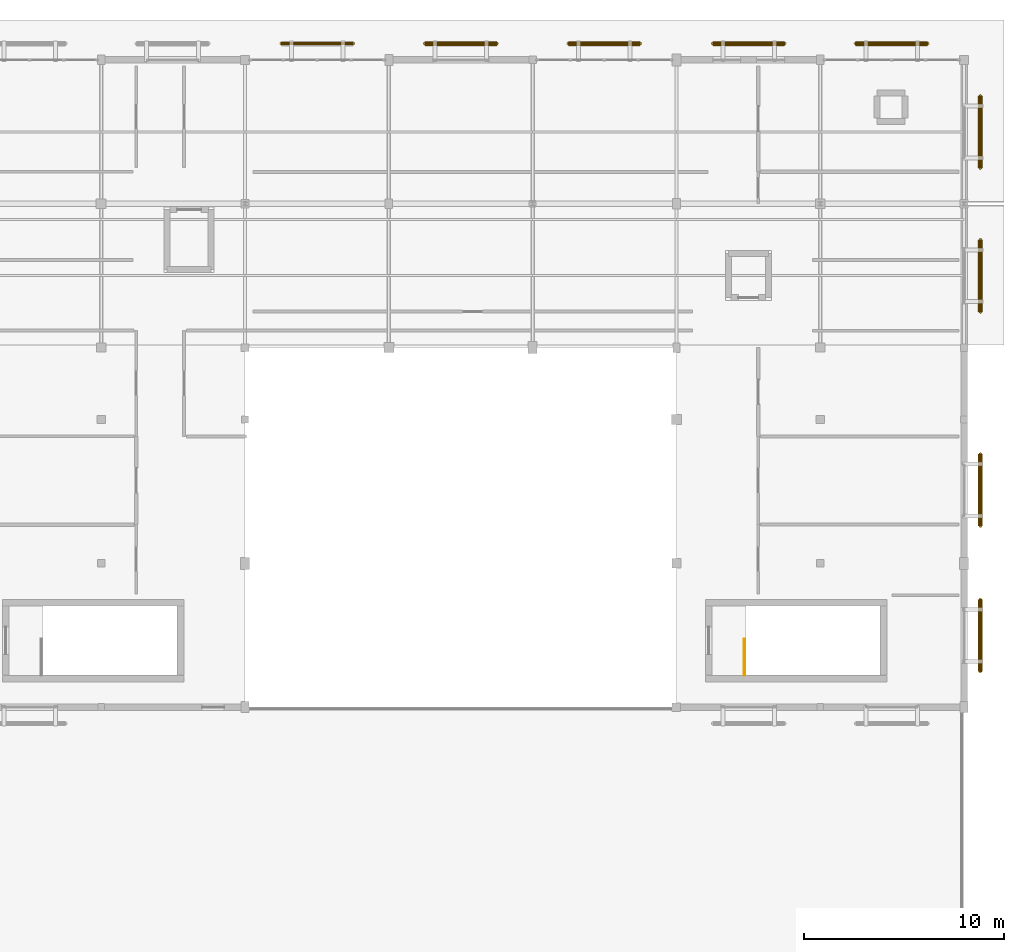
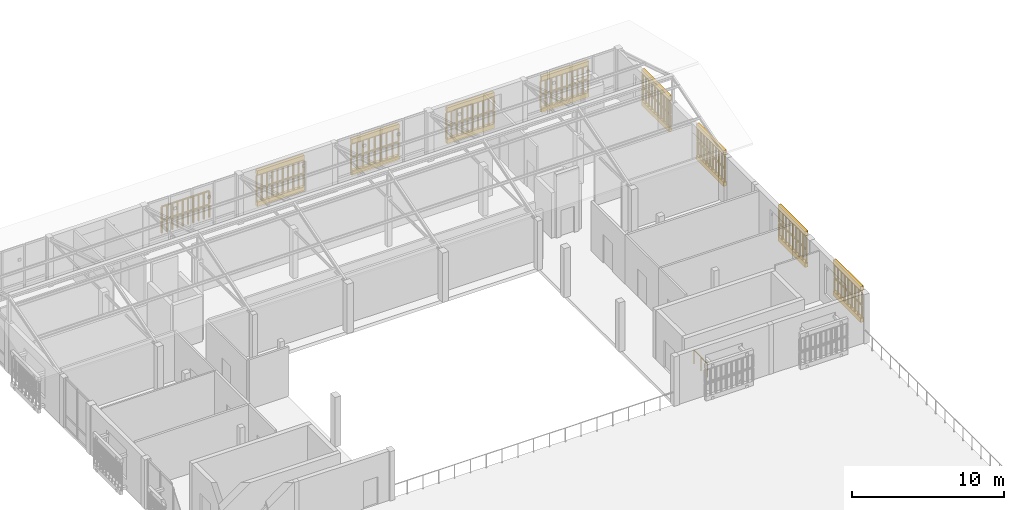
# One storey, part 61 of 61: 19 railings, 16 coverings.
"""IFC4 building model written with IfcOpenShell, lengths in metres."""

from ifc_helpers import new_model, si_unit, direction, frame, origin, origin_2d, place, context, subcontext, project, spatial, polyline, circle, outline, extrude, material, layer, layer_set, type_object, element, save


model = new_model("IFC4")

# Units and contexts
model_context = context("Model", 3, precision=1e-05, world=origin(), true_north=direction((0.0, 1.0)))
body_context = subcontext(model_context, "Body", "Model", "MODEL_VIEW")
ifc_project = project(units=[si_unit("LENGTHUNIT", "METRE"), si_unit("AREAUNIT", "SQUARE_METRE"), si_unit("VOLUMEUNIT", "CUBIC_METRE"), si_unit("PLANEANGLEUNIT", "RADIAN"), si_unit("MASSUNIT", "GRAM", prefix="KILO")], contexts=[model_context])

# Site, building, storey
site_placement = place(None, origin())
site = spatial("IfcSite", under=ifc_project, at=site_placement, CompositionType="ELEMENT")
building_placement = place(site_placement, origin())
building = spatial("IfcBuilding", under=site, at=building_placement, Name="Mazaris Harbour Polytechnic", CompositionType="ELEMENT")
storey_placement = place(building_placement, frame((0.0, 0.0, 18.0)))
storey = spatial("IfcBuildingStorey", under=building, at=storey_placement, Name="L04", CompositionType="ELEMENT", Elevation=18.0)

# Railings
ifc_material_1 = material(Name="Perforated Earth-Coloured Terracotta Block", Category="masonry")
railing_type_1 = type_object("IfcRailingType", Name="Perforated Earth-Block Claustra Lattice 1040", PredefinedType="BALUSTRADE", material=ifc_material_1)
for number, where, name in (
    (1, (138.614990234375, 101.6201171875, 0.52001953125), "V5 L04 Lower Perforated Terracotta Block Screen 490"),
    (2, (138.614990234375, 101.6201171875, 1.610107421875), "V5 L04 Upper Perforated Terracotta Block Screen 490"),
    (3, (145.804931640625, 101.6201171875, 0.52001953125), "V5 L04 Lower Perforated Terracotta Block Screen 491"),
    (4, (145.804931640625, 101.6201171875, 1.610107421875), "V5 L04 Upper Perforated Terracotta Block Screen 491"),
):
    element("IfcRailing", number, at=place(storey_placement, frame(where)), inside=storey, type_object=railing_type_1, Name=name, PredefinedType="BALUSTRADE", context=body_context, shape_type="SweptSolid", body=[
        extrude(circle(Radius=0.06982421875, at=origin_2d()), frame((0.0, 0.0, 1.02001953125), z_axis=(1.0, 0.0, 0.0), x_axis=(0.0, 1.0, 0.0)), (0.0, 0.0, 1.0), 3.60009765625),
        extrude(circle(Radius=0.074951171875, at=origin_2d()), origin(), (0.0, 0.0, 1.0), 0.9501953125),
        extrude(circle(Radius=0.074951171875, at=origin_2d()), frame((0.39990234375, 0.0, 0.0)), (0.0, 0.0, 1.0), 0.9501953125),
        extrude(circle(Radius=0.074951171875, at=origin_2d()), frame((0.800048828125, 0.0, 0.0)), (0.0, 0.0, 1.0), 0.9501953125),
        extrude(circle(Radius=0.074951171875, at=origin_2d()), frame((1.199951171875, 0.0, 0.0)), (0.0, 0.0, 1.0), 0.9501953125),
        extrude(circle(Radius=0.074951171875, at=origin_2d()), frame((1.60009765625, 0.0, 0.0)), (0.0, 0.0, 1.0), 0.9501953125),
        extrude(circle(Radius=0.074951171875, at=origin_2d()), frame((2.0, 0.0, 0.0)), (0.0, 0.0, 1.0), 0.9501953125),
        extrude(circle(Radius=0.074951171875, at=origin_2d()), frame((2.400146484375, 0.0, 0.0)), (0.0, 0.0, 1.0), 0.9501953125),
        extrude(circle(Radius=0.074951171875, at=origin_2d()), frame((2.800048828125, 0.0, 0.0)), (0.0, 0.0, 1.0), 0.9501953125),
        extrude(circle(Radius=0.074951171875, at=origin_2d()), frame((3.2001953125, 0.0, 0.0)), (0.0, 0.0, 1.0), 0.9501953125),
        extrude(circle(Radius=0.074951171875, at=origin_2d()), frame((3.60009765625, 0.0, 0.0)), (0.0, 0.0, 1.0), 0.9501953125),
    ])
for number, where, name in (
    (5, (152.985107421875, 101.6201171875, 0.52001953125), "V5 L04 Lower Perforated Terracotta Block Screen 492"),
    (6, (152.985107421875, 101.6201171875, 1.610107421875), "V5 L04 Upper Perforated Terracotta Block Screen 492"),
):
    element("IfcRailing", number, at=place(storey_placement, frame(where)), inside=storey, type_object=railing_type_1, Name=name, PredefinedType="BALUSTRADE", context=body_context, shape_type="SweptSolid", body=[
        extrude(circle(Radius=0.06982421875, at=origin_2d()), frame((0.0, 0.0, 1.02001953125), z_axis=(1.0, 0.0, 0.0), x_axis=(0.0, 1.0, 0.0)), (0.0, 0.0, 1.0), 3.599853515625),
        extrude(circle(Radius=0.074951171875, at=origin_2d()), origin(), (0.0, 0.0, 1.0), 0.9501953125),
        extrude(circle(Radius=0.074951171875, at=origin_2d()), frame((0.449951171875, 0.0, 0.0)), (0.0, 0.0, 1.0), 0.9501953125),
        extrude(circle(Radius=0.074951171875, at=origin_2d()), frame((0.89990234375, 0.0, 0.0)), (0.0, 0.0, 1.0), 0.9501953125),
        extrude(circle(Radius=0.074951171875, at=origin_2d()), frame((1.349853515625, 0.0, 0.0)), (0.0, 0.0, 1.0), 0.9501953125),
        extrude(circle(Radius=0.074951171875, at=origin_2d()), frame((1.7998046875, 0.0, 0.0)), (0.0, 0.0, 1.0), 0.9501953125),
        extrude(circle(Radius=0.074951171875, at=origin_2d()), frame((2.25, 0.0, 0.0)), (0.0, 0.0, 1.0), 0.9501953125),
        extrude(circle(Radius=0.074951171875, at=origin_2d()), frame((2.699951171875, 0.0, 0.0)), (0.0, 0.0, 1.0), 0.9501953125),
        extrude(circle(Radius=0.074951171875, at=origin_2d()), frame((3.14990234375, 0.0, 0.0)), (0.0, 0.0, 1.0), 0.9501953125),
        extrude(circle(Radius=0.074951171875, at=origin_2d()), frame((3.599853515625, 0.0, 0.0)), (0.0, 0.0, 1.0), 0.9501953125),
    ])
for number, where, name in (
    (7, (160.219970703125, 101.6201171875, 0.52001953125), "V5 L04 Lower Perforated Terracotta Block Screen 493"),
    (8, (160.219970703125, 101.6201171875, 1.610107421875), "V5 L04 Upper Perforated Terracotta Block Screen 493"),
    (9, (167.375, 101.6201171875, 0.52001953125), "V5 L04 Lower Perforated Terracotta Block Screen 494"),
    (10, (167.375, 101.6201171875, 1.610107421875), "V5 L04 Upper Perforated Terracotta Block Screen 494"),
):
    element("IfcRailing", number, at=place(storey_placement, frame(where)), inside=storey, type_object=railing_type_1, Name=name, PredefinedType="BALUSTRADE", context=body_context, shape_type="SweptSolid", body=[
        extrude(circle(Radius=0.06982421875, at=origin_2d()), frame((0.0, 0.0, 1.02001953125), z_axis=(1.0, 0.0, 0.0), x_axis=(0.0, 1.0, 0.0)), (0.0, 0.0, 1.0), 3.60009765625),
        extrude(circle(Radius=0.074951171875, at=origin_2d()), origin(), (0.0, 0.0, 1.0), 0.9501953125),
        extrude(circle(Radius=0.074951171875, at=origin_2d()), frame((0.39990234375, 0.0, 0.0)), (0.0, 0.0, 1.0), 0.9501953125),
        extrude(circle(Radius=0.074951171875, at=origin_2d()), frame((0.800048828125, 0.0, 0.0)), (0.0, 0.0, 1.0), 0.9501953125),
        extrude(circle(Radius=0.074951171875, at=origin_2d()), frame((1.199951171875, 0.0, 0.0)), (0.0, 0.0, 1.0), 0.9501953125),
        extrude(circle(Radius=0.074951171875, at=origin_2d()), frame((1.60009765625, 0.0, 0.0)), (0.0, 0.0, 1.0), 0.9501953125),
        extrude(circle(Radius=0.074951171875, at=origin_2d()), frame((2.0, 0.0, 0.0)), (0.0, 0.0, 1.0), 0.9501953125),
        extrude(circle(Radius=0.074951171875, at=origin_2d()), frame((2.400146484375, 0.0, 0.0)), (0.0, 0.0, 1.0), 0.9501953125),
        extrude(circle(Radius=0.074951171875, at=origin_2d()), frame((2.800048828125, 0.0, 0.0)), (0.0, 0.0, 1.0), 0.9501953125),
        extrude(circle(Radius=0.074951171875, at=origin_2d()), frame((3.2001953125, 0.0, 0.0)), (0.0, 0.0, 1.0), 0.9501953125),
        extrude(circle(Radius=0.074951171875, at=origin_2d()), frame((3.60009765625, 0.0, 0.0)), (0.0, 0.0, 1.0), 0.9501953125),
    ])
for number, where, name in (
    (11, (173.6201171875, 73.784912109375, 0.52001953125), "V5 L04 Lower Perforated Terracotta Block Screen 499"),
    (12, (173.6201171875, 73.784912109375, 1.610107421875), "V5 L04 Upper Perforated Terracotta Block Screen 499"),
    (13, (173.6201171875, 81.06494140625, 0.52001953125), "V5 L04 Lower Perforated Terracotta Block Screen 500"),
    (14, (173.6201171875, 81.06494140625, 1.610107421875), "V5 L04 Upper Perforated Terracotta Block Screen 500"),
):
    element("IfcRailing", number, at=place(storey_placement, frame(where)), inside=storey, type_object=railing_type_1, Name=name, PredefinedType="BALUSTRADE", context=body_context, shape_type="SweptSolid", body=[
        extrude(circle(Radius=0.06982421875, at=origin_2d()), frame((0.0, 0.0, 1.02001953125), z_axis=(0.0, -1.0, 0.0), x_axis=(1.0, 0.0, 0.0)), (0.0, 0.0, 1.0), 3.599853515625),
        extrude(circle(Radius=0.074951171875, at=origin_2d()), origin(), (0.0, 0.0, 1.0), 0.9501953125),
        extrude(circle(Radius=0.074951171875, at=origin_2d()), frame((0.0, -0.449951171875, 0.0)), (0.0, 0.0, 1.0), 0.9501953125),
        extrude(circle(Radius=0.074951171875, at=origin_2d()), frame((0.0, -0.89990234375, 0.0)), (0.0, 0.0, 1.0), 0.9501953125),
        extrude(circle(Radius=0.074951171875, at=origin_2d()), frame((0.0, -1.349853515625, 0.0)), (0.0, 0.0, 1.0), 0.9501953125),
        extrude(circle(Radius=0.074951171875, at=origin_2d()), frame((0.0, -1.7998046875, 0.0)), (0.0, 0.0, 1.0), 0.9501953125),
        extrude(circle(Radius=0.074951171875, at=origin_2d()), frame((0.0, -2.25, 0.0)), (0.0, 0.0, 1.0), 0.9501953125),
        extrude(circle(Radius=0.074951171875, at=origin_2d()), frame((0.0, -2.699951171875, 0.0)), (0.0, 0.0, 1.0), 0.9501953125),
        extrude(circle(Radius=0.074951171875, at=origin_2d()), frame((0.0, -3.14990234375, 0.0)), (0.0, 0.0, 1.0), 0.9501953125),
        extrude(circle(Radius=0.074951171875, at=origin_2d()), frame((0.0, -3.599853515625, 0.0)), (0.0, 0.0, 1.0), 0.9501953125),
    ])
for number, where, name in (
    (15, (173.6201171875, 91.7900390625, 0.52001953125), "V5 L04 Lower Perforated Terracotta Block Screen 501"),
    (16, (173.6201171875, 91.7900390625, 1.610107421875), "V5 L04 Upper Perforated Terracotta Block Screen 501"),
    (17, (173.6201171875, 98.989990234375, 0.52001953125), "V5 L04 Lower Perforated Terracotta Block Screen 502"),
    (18, (173.6201171875, 98.989990234375, 1.610107421875), "V5 L04 Upper Perforated Terracotta Block Screen 502"),
):
    element("IfcRailing", number, at=place(storey_placement, frame(where)), inside=storey, type_object=railing_type_1, Name=name, PredefinedType="BALUSTRADE", context=body_context, shape_type="SweptSolid", body=[
        extrude(circle(Radius=0.06982421875, at=origin_2d()), frame((0.0, 0.0, 1.02001953125), z_axis=(0.0, -1.0, 0.0), x_axis=(1.0, 0.0, 0.0)), (0.0, 0.0, 1.0), 3.60009765625),
        extrude(circle(Radius=0.074951171875, at=origin_2d()), origin(), (0.0, 0.0, 1.0), 0.9501953125),
        extrude(circle(Radius=0.074951171875, at=origin_2d()), frame((0.0, -0.39990234375, 0.0)), (0.0, 0.0, 1.0), 0.9501953125),
        extrude(circle(Radius=0.074951171875, at=origin_2d()), frame((0.0, -0.800048828125, 0.0)), (0.0, 0.0, 1.0), 0.9501953125),
        extrude(circle(Radius=0.074951171875, at=origin_2d()), frame((0.0, -1.199951171875, 0.0)), (0.0, 0.0, 1.0), 0.9501953125),
        extrude(circle(Radius=0.074951171875, at=origin_2d()), frame((0.0, -1.60009765625, 0.0)), (0.0, 0.0, 1.0), 0.9501953125),
        extrude(circle(Radius=0.074951171875, at=origin_2d()), frame((0.0, -2.0, 0.0)), (0.0, 0.0, 1.0), 0.9501953125),
        extrude(circle(Radius=0.074951171875, at=origin_2d()), frame((0.0, -2.400146484375, 0.0)), (0.0, 0.0, 1.0), 0.9501953125),
        extrude(circle(Radius=0.074951171875, at=origin_2d()), frame((0.0, -2.800048828125, 0.0)), (0.0, 0.0, 1.0), 0.9501953125),
        extrude(circle(Radius=0.074951171875, at=origin_2d()), frame((0.0, -3.2001953125, 0.0)), (0.0, 0.0, 1.0), 0.9501953125),
        extrude(circle(Radius=0.074951171875, at=origin_2d()), frame((0.0, -3.60009765625, 0.0)), (0.0, 0.0, 1.0), 0.9501953125),
    ])
ifc_material_2 = material(Name="Steel S355", Category="steel")
railing_type_2 = type_object("IfcRailingType", Name="Stair Well Guardrail 1100", PredefinedType="GUARDRAIL", material=ifc_material_2)
railing_placement = place(storey_placement, frame((161.800048828125, 70.0, 0.0)))
element("IfcRailing", 19, at=railing_placement, inside=storey, type_object=railing_type_2, Name="L04 ST10 top well guard 1", PredefinedType="GUARDRAIL", context=body_context, shape_type="SweptSolid", body=[
    extrude(circle(Radius=0.02392578125, at=origin_2d()), frame((0.0, 0.0, 1.076171875), z_axis=(0.0, 1.0, 0.0), x_axis=(-1.0, 0.0, 0.0)), (0.0, 0.0, 1.0), 1.800048828125),
    extrude(circle(Radius=0.02099609375, at=origin_2d()), origin(), (0.0, 0.0, 1.0), 1.052001953125),
    extrude(circle(Radius=0.02099609375, at=origin_2d()), frame((0.0, 0.89990234375, 0.0)), (0.0, 0.0, 1.0), 1.052001953125),
    extrude(circle(Radius=0.02099609375, at=origin_2d()), frame((0.0, 1.800048828125, 0.0)), (0.0, 0.0, 1.0), 1.052001953125),
])

# Coverings
ifc_material_3 = material(Name="Perforated Earth-Coloured Terracotta Block", Category="masonry")
ifc_layer = layer(ifc_material_3, 0.219970703125, Name="Perforated Earth-Coloured Terracotta Block")
ifc_layer_set = layer_set([ifc_layer], Name="Perforated Earth-Coloured Terracotta Block")
covering_type = type_object("IfcCoveringType", Name="Terracotta Screen Course Cladding 220", PredefinedType="CLADDING", material=ifc_layer_set)
covering_1_placement = place(storey_placement, frame((0.0, 0.0, 0.159912109375)))
element("IfcCovering", 20, at=covering_1_placement, inside=storey, type_object=covering_type, Name="V5 L04 Perforated Screen Sill Course 491", PredefinedType="CLADDING", context=body_context, shape_type="SweptSolid", body=[
    extrude(outline(polyline([(145.804931640625, 101.510009765625), (149.405029296875, 101.510009765625), (149.405029296875, 101.72998046875), (145.804931640625, 101.72998046875), (145.804931640625, 101.510009765625)])), origin(), (0.0, 0.0, 1.0), 0.360107421875),
])
covering_2_placement = place(storey_placement, frame((0.0, 0.0, 2.699951171875)))
element("IfcCovering", 21, at=covering_2_placement, inside=storey, type_object=covering_type, Name="V5 L04 Perforated Screen Lintel Course 491", PredefinedType="CLADDING", context=body_context, shape_type="SweptSolid", body=[
    extrude(outline(polyline([(145.804931640625, 101.510009765625), (149.405029296875, 101.510009765625), (149.405029296875, 101.72998046875), (145.804931640625, 101.72998046875), (145.804931640625, 101.510009765625)])), origin(), (0.0, 0.0, 1.0), 0.340087890625),
])
covering_3_placement = place(storey_placement, frame((0.0, 0.0, 0.159912109375)))
element("IfcCovering", 22, at=covering_3_placement, inside=storey, type_object=covering_type, Name="V5 L04 Perforated Screen Sill Course 492", PredefinedType="CLADDING", context=body_context, shape_type="SweptSolid", body=[
    extrude(outline(polyline([(152.985107421875, 101.510009765625), (156.5849609375, 101.510009765625), (156.5849609375, 101.72998046875), (152.985107421875, 101.72998046875), (152.985107421875, 101.510009765625)])), origin(), (0.0, 0.0, 1.0), 0.360107421875),
])
covering_4_placement = place(storey_placement, frame((0.0, 0.0, 2.699951171875)))
element("IfcCovering", 23, at=covering_4_placement, inside=storey, type_object=covering_type, Name="V5 L04 Perforated Screen Lintel Course 492", PredefinedType="CLADDING", context=body_context, shape_type="SweptSolid", body=[
    extrude(outline(polyline([(152.985107421875, 101.510009765625), (156.5849609375, 101.510009765625), (156.5849609375, 101.72998046875), (152.985107421875, 101.72998046875), (152.985107421875, 101.510009765625)])), origin(), (0.0, 0.0, 1.0), 0.340087890625),
])
covering_5_placement = place(storey_placement, frame((0.0, 0.0, 0.159912109375)))
element("IfcCovering", 24, at=covering_5_placement, inside=storey, type_object=covering_type, Name="V5 L04 Perforated Screen Sill Course 493", PredefinedType="CLADDING", context=body_context, shape_type="SweptSolid", body=[
    extrude(outline(polyline([(160.219970703125, 101.510009765625), (163.820068359375, 101.510009765625), (163.820068359375, 101.72998046875), (160.219970703125, 101.72998046875), (160.219970703125, 101.510009765625)])), origin(), (0.0, 0.0, 1.0), 0.360107421875),
])
covering_6_placement = place(storey_placement, frame((0.0, 0.0, 2.699951171875)))
element("IfcCovering", 25, at=covering_6_placement, inside=storey, type_object=covering_type, Name="V5 L04 Perforated Screen Lintel Course 493", PredefinedType="CLADDING", context=body_context, shape_type="SweptSolid", body=[
    extrude(outline(polyline([(160.219970703125, 101.510009765625), (163.820068359375, 101.510009765625), (163.820068359375, 101.72998046875), (160.219970703125, 101.72998046875), (160.219970703125, 101.510009765625)])), origin(), (0.0, 0.0, 1.0), 0.340087890625),
])
covering_7_placement = place(storey_placement, frame((0.0, 0.0, 0.159912109375)))
element("IfcCovering", 26, at=covering_7_placement, inside=storey, type_object=covering_type, Name="V5 L04 Perforated Screen Sill Course 494", PredefinedType="CLADDING", context=body_context, shape_type="SweptSolid", body=[
    extrude(outline(polyline([(167.375, 101.510009765625), (170.97509765625, 101.510009765625), (170.97509765625, 101.72998046875), (167.375, 101.72998046875), (167.375, 101.510009765625)])), origin(), (0.0, 0.0, 1.0), 0.360107421875),
])
covering_8_placement = place(storey_placement, frame((0.0, 0.0, 2.699951171875)))
element("IfcCovering", 27, at=covering_8_placement, inside=storey, type_object=covering_type, Name="V5 L04 Perforated Screen Lintel Course 494", PredefinedType="CLADDING", context=body_context, shape_type="SweptSolid", body=[
    extrude(outline(polyline([(167.375, 101.510009765625), (170.97509765625, 101.510009765625), (170.97509765625, 101.72998046875), (167.375, 101.72998046875), (167.375, 101.510009765625)])), origin(), (0.0, 0.0, 1.0), 0.340087890625),
])
covering_9_placement = place(storey_placement, frame((0.0, 0.0, 0.159912109375)))
element("IfcCovering", 28, at=covering_9_placement, inside=storey, type_object=covering_type, Name="V5 L04 Perforated Screen Sill Course 499", PredefinedType="CLADDING", context=body_context, shape_type="SweptSolid", body=[
    extrude(outline(polyline([(173.510009765625, 73.784912109375), (173.510009765625, 70.18505859375), (173.72998046875, 70.18505859375), (173.72998046875, 73.784912109375), (173.510009765625, 73.784912109375)])), origin(), (0.0, 0.0, 1.0), 0.360107421875),
])
covering_10_placement = place(storey_placement, frame((0.0, 0.0, 2.699951171875)))
element("IfcCovering", 29, at=covering_10_placement, inside=storey, type_object=covering_type, Name="V5 L04 Perforated Screen Lintel Course 499", PredefinedType="CLADDING", context=body_context, shape_type="SweptSolid", body=[
    extrude(outline(polyline([(173.510009765625, 73.784912109375), (173.510009765625, 70.18505859375), (173.72998046875, 70.18505859375), (173.72998046875, 73.784912109375), (173.510009765625, 73.784912109375)])), origin(), (0.0, 0.0, 1.0), 0.340087890625),
])
covering_11_placement = place(storey_placement, frame((0.0, 0.0, 0.159912109375)))
element("IfcCovering", 30, at=covering_11_placement, inside=storey, type_object=covering_type, Name="V5 L04 Perforated Screen Sill Course 500", PredefinedType="CLADDING", context=body_context, shape_type="SweptSolid", body=[
    extrude(outline(polyline([(173.510009765625, 81.06494140625), (173.510009765625, 77.465087890625), (173.72998046875, 77.465087890625), (173.72998046875, 81.06494140625), (173.510009765625, 81.06494140625)])), origin(), (0.0, 0.0, 1.0), 0.360107421875),
])
covering_12_placement = place(storey_placement, frame((0.0, 0.0, 2.699951171875)))
element("IfcCovering", 31, at=covering_12_placement, inside=storey, type_object=covering_type, Name="V5 L04 Perforated Screen Lintel Course 500", PredefinedType="CLADDING", context=body_context, shape_type="SweptSolid", body=[
    extrude(outline(polyline([(173.510009765625, 81.06494140625), (173.510009765625, 77.465087890625), (173.72998046875, 77.465087890625), (173.72998046875, 81.06494140625), (173.510009765625, 81.06494140625)])), origin(), (0.0, 0.0, 1.0), 0.340087890625),
])
covering_13_placement = place(storey_placement, frame((0.0, 0.0, 0.159912109375)))
element("IfcCovering", 32, at=covering_13_placement, inside=storey, type_object=covering_type, Name="V5 L04 Perforated Screen Sill Course 501", PredefinedType="CLADDING", context=body_context, shape_type="SweptSolid", body=[
    extrude(outline(polyline([(173.510009765625, 91.7900390625), (173.510009765625, 88.18994140625), (173.72998046875, 88.18994140625), (173.72998046875, 91.7900390625), (173.510009765625, 91.7900390625)])), origin(), (0.0, 0.0, 1.0), 0.360107421875),
])
covering_14_placement = place(storey_placement, frame((0.0, 0.0, 2.699951171875)))
element("IfcCovering", 33, at=covering_14_placement, inside=storey, type_object=covering_type, Name="V5 L04 Perforated Screen Lintel Course 501", PredefinedType="CLADDING", context=body_context, shape_type="SweptSolid", body=[
    extrude(outline(polyline([(173.510009765625, 91.7900390625), (173.510009765625, 88.18994140625), (173.72998046875, 88.18994140625), (173.72998046875, 91.7900390625), (173.510009765625, 91.7900390625)])), origin(), (0.0, 0.0, 1.0), 0.340087890625),
])
covering_15_placement = place(storey_placement, frame((0.0, 0.0, 0.159912109375)))
element("IfcCovering", 34, at=covering_15_placement, inside=storey, type_object=covering_type, Name="V5 L04 Perforated Screen Sill Course 502", PredefinedType="CLADDING", context=body_context, shape_type="SweptSolid", body=[
    extrude(outline(polyline([(173.510009765625, 98.989990234375), (173.510009765625, 95.389892578125), (173.72998046875, 95.389892578125), (173.72998046875, 98.989990234375), (173.510009765625, 98.989990234375)])), origin(), (0.0, 0.0, 1.0), 0.360107421875),
])
covering_16_placement = place(storey_placement, frame((0.0, 0.0, 2.699951171875)))
element("IfcCovering", 35, at=covering_16_placement, inside=storey, type_object=covering_type, Name="V5 L04 Perforated Screen Lintel Course 502", PredefinedType="CLADDING", context=body_context, shape_type="SweptSolid", body=[
    extrude(outline(polyline([(173.510009765625, 98.989990234375), (173.510009765625, 95.389892578125), (173.72998046875, 95.389892578125), (173.72998046875, 98.989990234375), (173.510009765625, 98.989990234375)])), origin(), (0.0, 0.0, 1.0), 0.340087890625),
])

save(model, "model.ifc")
